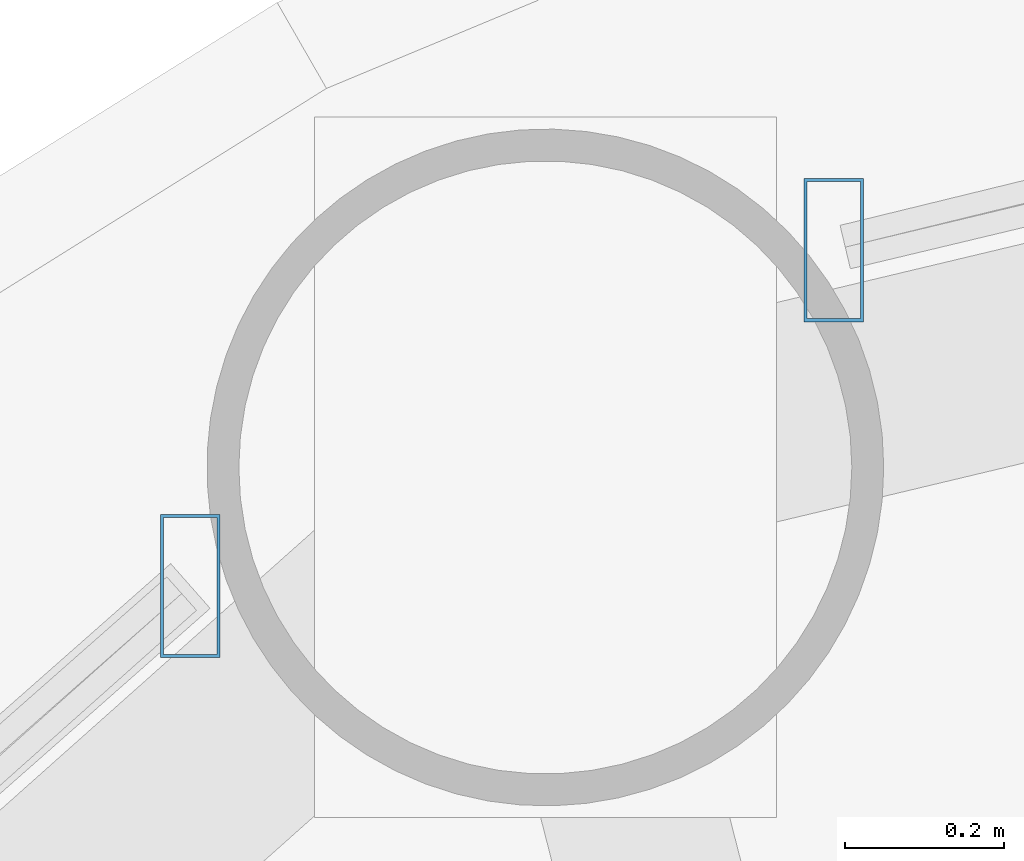
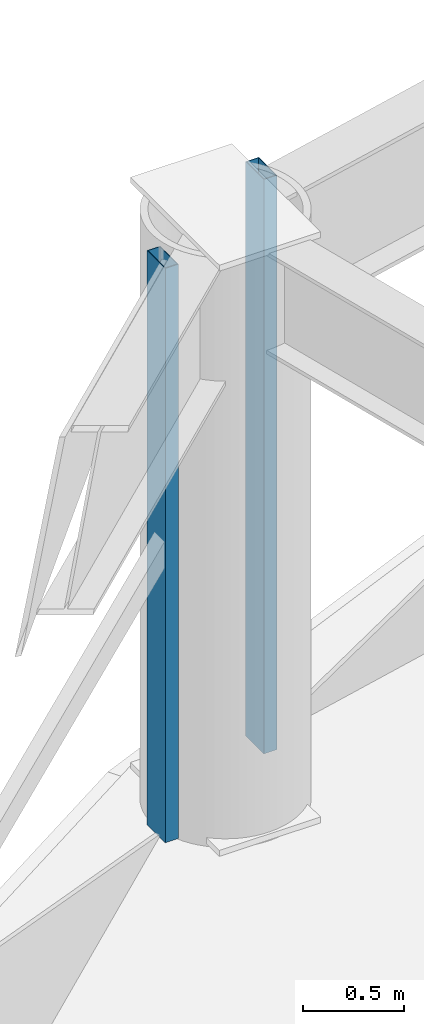
# One storey, part 16 of 31: 2 members, 2 elements without a shape of their own.
"""IFC4 building model written with IfcOpenShell, lengths in metres."""

from ifc_helpers import new_model, si_unit, direction, frame, origin, origin_2d, place, context, subcontext, project, spatial, hollow_rectangle, extrude, material, layer, layer_set, material_profile, profile_set, type_object, element, aggregate, save


model = new_model("IFC4")

# Units and contexts
model_context = context("Model", 3, precision=1e-05, world=origin(), true_north=direction((0.0, 1.0)))
body_context = subcontext(model_context, "Body", "Model", "MODEL_VIEW")
ifc_project = project(units=[si_unit("LENGTHUNIT", "METRE"), si_unit("AREAUNIT", "SQUARE_METRE"), si_unit("VOLUMEUNIT", "CUBIC_METRE"), si_unit("PLANEANGLEUNIT", "RADIAN"), si_unit("MASSUNIT", "GRAM", prefix="KILO")], contexts=[model_context])

# Site, building, storey
site_placement = place(None, origin())
site = spatial("IfcSite", under=ifc_project, at=site_placement, CompositionType="ELEMENT")
building_placement = place(site_placement, origin())
building = spatial("IfcBuilding", under=site, at=building_placement, Name="Vantalir Tower", CompositionType="ELEMENT")
storey_placement = place(building_placement, frame((0.0, 0.0, 30.75)))
storey = spatial("IfcBuildingStorey", under=building, at=storey_placement, Name="L06", CompositionType="ELEMENT", Elevation=30.75)

# Curtain wall, member
ifc_material_1 = material(Name="Champagne-silver PVDF aluminium and double-silver Low-E glass", Category="aluminium")
ifc_layer = layer(ifc_material_1, 0.18994140625)
ifc_layer_set = layer_set([ifc_layer], Name="Champagne-silver PVDF aluminium and double-silver Low-E glass")
curtain_wall_type = type_object("IfcCurtainWallType", Name="CW-DIAMOND-Z1", PredefinedType="USERDEFINED", material=ifc_layer_set)
curtain_wall_1_placement = place(storey_placement, origin())
curtain_wall_1 = element("IfcCurtainWall", 1, at=curtain_wall_1_placement, inside=storey, type_object=curtain_wall_type, Name="L06 Quilted Pyramid-Diamond Curtain Wall S04", ObjectType="UNITISED CURTAIN WALL", PredefinedType="USERDEFINED")
ifc_material_2 = material(Name="Champagne-silver PVDF aluminium 6063-T6", Category="aluminium")
ifc_material_profile = material_profile(ifc_material_2, hollow_rectangle(XDim=0.074951171875, YDim=0.179931640625, WallThickness=0.00390625, at=origin_2d()), Name="Champagne-silver PVDF aluminium 6063-T6")
ifc_profile_set = profile_set([ifc_material_profile], Name="Champagne-silver PVDF aluminium 6063-T6")
member_type = type_object("IfcMemberType", Name="CWM-180x75", PredefinedType="MULLION", material=ifc_profile_set)
member_1_placement = place(storey_placement, frame((19.136962890625, 44.90087890625, 0.044921875), z_axis=(0.0, 0.0, 1.0), x_axis=(1.0, 0.0, 0.0)))
member_1 = element("IfcMember", 2, at=member_1_placement, type_object=member_type, Name="CW-L06-S04 Mullion 2", PredefinedType="MULLION", context=body_context, shape_type="SweptSolid", body=[
    extrude(hollow_rectangle(XDim=0.074951171875, YDim=0.179931640625, WallThickness=0.00390625, at=origin_2d()), origin(), (0.0, 0.0, 1.0), 3.47998046875),
])
aggregate(curtain_wall_1, [member_1])

curtain_wall_2_placement = place(storey_placement, origin())
curtain_wall_2 = element("IfcCurtainWall", 3, at=curtain_wall_2_placement, inside=storey, type_object=curtain_wall_type, Name="L06 Quilted Pyramid-Diamond Curtain Wall S05", ObjectType="UNITISED CURTAIN WALL", PredefinedType="USERDEFINED")
member_2_placement = place(storey_placement, frame((18.3291015625, 44.47900390625, 0.044921875), z_axis=(0.0, 0.0, 1.0), x_axis=(1.0, 0.0, 0.0)))
member_2 = element("IfcMember", 4, at=member_2_placement, type_object=member_type, Name="CW-L06-S05 Mullion 1", PredefinedType="MULLION", context=body_context, shape_type="SweptSolid", body=[
    extrude(hollow_rectangle(XDim=0.074951171875, YDim=0.179931640625, WallThickness=0.00390625, at=origin_2d()), origin(), (0.0, 0.0, 1.0), 3.47998046875),
])
aggregate(curtain_wall_2, [member_2])

save(model, "model.ifc")
